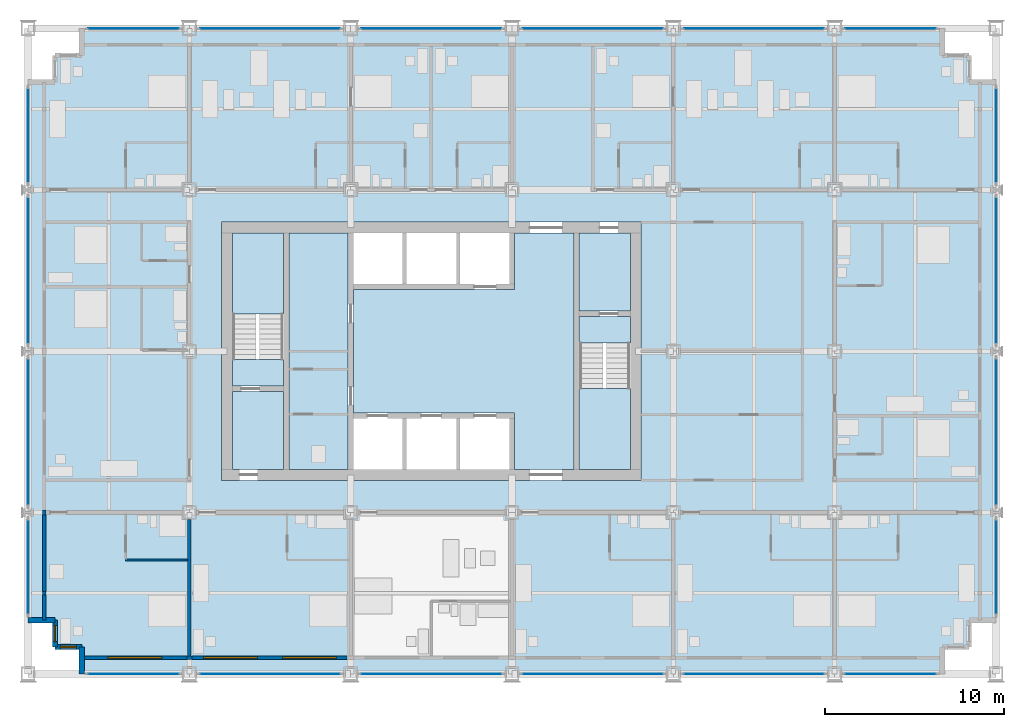
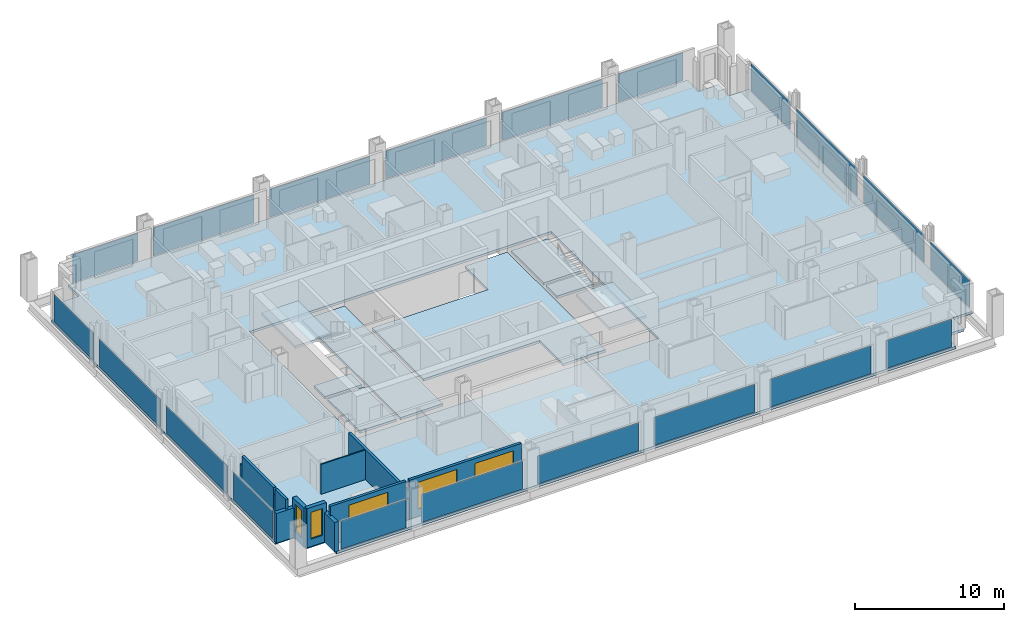
# One storey, part 9 of 18: 20 plates, 13 walls, 9 slabs, 5 windows, 5 openings, 22 elements without a shape of their own.
"""IFC4 building model written with IfcOpenShell, lengths in metres."""

from ifc_helpers import new_model, si_unit, direction, frame, frame_2d, origin, origin_2d, place, context, subcontext, project, spatial, polyline, rectangle, outline, extrude, material, layer, layer_set, type_object, element, fill, aggregate, save


model = new_model("IFC4")

# Units and contexts
model_context = context("Model", 3, precision=1e-05, world=origin(), true_north=direction((0.0, 1.0)))
body_context = subcontext(model_context, "Body", "Model", "MODEL_VIEW")
ifc_project = project(units=[si_unit("LENGTHUNIT", "METRE"), si_unit("AREAUNIT", "SQUARE_METRE"), si_unit("VOLUMEUNIT", "CUBIC_METRE"), si_unit("PLANEANGLEUNIT", "RADIAN"), si_unit("MASSUNIT", "GRAM", prefix="KILO")], contexts=[model_context])

# Site, building, storey
site_placement = place(None, origin())
site = spatial("IfcSite", under=ifc_project, at=site_placement, CompositionType="ELEMENT")
building_placement = place(site_placement, origin())
building = spatial("IfcBuilding", under=site, at=building_placement, Name="Loomwork Tower", CompositionType="ELEMENT")
storey_placement = place(building_placement, frame((0.0, 0.0, 45.0)))
storey = spatial("IfcBuildingStorey", under=building, at=storey_placement, Name="L10", CompositionType="ELEMENT", Elevation=45.0)

# Slabs
ifc_material_1 = material(Name="Concrete 5000 psi (34 MPa) on composite metal deck", Category="concrete")
ifc_layer_1 = layer(ifc_material_1, 0.199951171875)
ifc_layer_set_1 = layer_set([ifc_layer_1], Name="Floor slab 200")
slab_type_1 = type_object("IfcSlabType", Name="Floor slab 200", PredefinedType="FLOOR", material=ifc_layer_set_1)
slab_1_placement = place(storey_placement, frame((0.0, 0.0, -0.199951171875)))
element("IfcSlab", 1, at=slab_1_placement, inside=storey, type_object=slab_type_1, Name="Floor slab L10", PredefinedType="FLOOR", context=body_context, shape_type="SweptSolid", body=[
    extrude(outline(polyline([(3.0, 1.5), (1.5, 1.5), (1.5, 3.0), (0.0, 3.0), (0.0, 33.0), (1.5, 33.0), (1.5, 34.5), (3.0, 34.5), (3.0, 36.0), (51.0, 36.0), (51.0, 34.5), (52.5, 34.5), (52.5, 33.0), (54.0, 33.0), (54.0, 3.0), (52.5, 3.0), (52.5, 1.5), (51.0, 1.5), (51.0, 0.0), (3.0, 0.0), (3.0, 1.5)]), holes=[polyline([(10.800048828125, 11.39990234375), (10.800048828125, 11.39990234375), (10.800048828125, 10.800048828125), (34.199951171875, 10.800048828125), (34.199951171875, 11.39990234375), (34.199951171875, 11.39990234375), (34.199951171875, 24.60009765625), (34.199951171875, 25.199951171875), (10.800048828125, 25.199951171875), (10.800048828125, 24.60009765625), (10.800048828125, 11.39990234375)])]), origin(), (0.0, 0.0, 1.0), 0.199951171875),
])
slab_2_placement = place(storey_placement, frame((0.0, 0.0, -0.199951171875)))
element("IfcSlab", 2, at=slab_2_placement, inside=storey, type_object=slab_type_1, Name="Floor slab L10", PredefinedType="FLOOR", context=body_context, shape_type="SweptSolid", body=[
    extrude(outline(polyline([(30.449951171875, 24.60009765625), (30.449951171875, 11.39990234375), (27.14990234375, 11.39990234375), (27.14990234375, 14.25), (27.14990234375, 14.550048828125), (18.14990234375, 14.550048828125), (18.14990234375, 21.449951171875), (27.14990234375, 21.449951171875), (27.14990234375, 21.75), (27.14990234375, 24.60009765625), (30.449951171875, 24.60009765625)])), origin(), (0.0, 0.0, 1.0), 0.199951171875),
])
slab_3_placement = place(storey_placement, frame((0.0, 0.0, -0.199951171875)))
element("IfcSlab", 3, at=slab_3_placement, inside=storey, type_object=slab_type_1, Name="Floor slab L10", PredefinedType="FLOOR", context=body_context, shape_type="SweptSolid", body=[
    extrude(outline(polyline([(14.550048828125, 11.39990234375), (14.550048828125, 24.60009765625), (17.85009765625, 24.60009765625), (17.85009765625, 11.39990234375), (14.550048828125, 11.39990234375)])), origin(), (0.0, 0.0, 1.0), 0.199951171875),
])
slab_4_placement = place(storey_placement, frame((0.0, 0.0, -0.199951171875)))
element("IfcSlab", 4, at=slab_4_placement, inside=storey, type_object=slab_type_1, Name="Floor slab L10", PredefinedType="FLOOR", context=body_context, shape_type="SweptSolid", body=[
    extrude(outline(polyline([(33.60009765625, 20.25), (30.75, 20.25), (30.75, 24.60009765625), (33.60009765625, 24.60009765625), (33.60009765625, 20.25)])), origin(), (0.0, 0.0, 1.0), 0.199951171875),
])
slab_5_placement = place(storey_placement, frame((0.0, 0.0, -0.199951171875)))
element("IfcSlab", 5, at=slab_5_placement, inside=storey, type_object=slab_type_1, Name="Floor slab L10", PredefinedType="FLOOR", context=body_context, shape_type="SweptSolid", body=[
    extrude(outline(polyline([(14.25, 15.75), (14.25, 11.39990234375), (11.39990234375, 11.39990234375), (11.39990234375, 15.75), (14.25, 15.75)])), origin(), (0.0, 0.0, 1.0), 0.199951171875),
])

# Curtain wall, plate
ifc_material_2 = material(Name="Aluminium curtain wall frame", Category="aluminium")
curtain_wall_type = type_object("IfcCurtainWallType", Name="Outer skin glazing hotel", PredefinedType="NOTDEFINED", material=ifc_material_2)
curtain_wall_1_placement = place(storey_placement, origin())
curtain_wall_1 = element("IfcCurtainWall", 6, at=curtain_wall_1_placement, inside=storey, type_object=curtain_wall_type, Name="Outer skin glazing hotel cw/S-0", PredefinedType="NOTDEFINED")
ifc_material_3 = material(Name="Clear laminated glass", Category="glass")
ifc_layer_2 = layer(ifc_material_3, 0.02392578125)
ifc_layer_set_2 = layer_set([ifc_layer_2], Name="Outer skin glazing hotel panel")
plate_type = type_object("IfcPlateType", Name="Outer skin glazing hotel panel", PredefinedType="CURTAIN_PANEL", material=ifc_layer_set_2)
plate_1_placement = place(storey_placement, frame((5.875, 0.0, 0.06494140625), z_axis=(0.0, 0.0, 1.0), x_axis=(1.0, 0.0, 0.0)))
plate_1 = element("IfcPlate", 7, at=plate_1_placement, type_object=plate_type, Name="CW1 panel 1.1", PredefinedType="CURTAIN_PANEL", context=body_context, shape_type="SweptSolid", body=[
    extrude(rectangle(XDim=5.050048828125, YDim=0.02392578125, at=origin_2d()), origin(), (0.0, 0.0, 1.0), 2.290283203125),
])
aggregate(curtain_wall_1, [plate_1])

curtain_wall_2_placement = place(storey_placement, origin())
curtain_wall_2 = element("IfcCurtainWall", 8, at=curtain_wall_2_placement, inside=storey, type_object=curtain_wall_type, Name="Outer skin glazing hotel cw/S-9", PredefinedType="NOTDEFINED")
plate_2_placement = place(storey_placement, frame((13.5, 0.0, 0.06494140625), z_axis=(0.0, 0.0, 1.0), x_axis=(1.0, 0.0, 0.0)))
plate_2 = element("IfcPlate", 9, at=plate_2_placement, type_object=plate_type, Name="CW1 panel 1.1", PredefinedType="CURTAIN_PANEL", context=body_context, shape_type="SweptSolid", body=[
    extrude(rectangle(XDim=7.800048828125, YDim=0.02392578125, at=origin_2d()), origin(), (0.0, 0.0, 1.0), 2.290283203125),
])
aggregate(curtain_wall_2, [plate_2])

curtain_wall_3_placement = place(storey_placement, origin())
curtain_wall_3 = element("IfcCurtainWall", 10, at=curtain_wall_3_placement, inside=storey, type_object=curtain_wall_type, Name="Outer skin glazing hotel cw/S-18", PredefinedType="NOTDEFINED")
plate_3_placement = place(storey_placement, frame((22.5, 0.0, 0.06494140625), z_axis=(0.0, 0.0, 1.0), x_axis=(1.0, 0.0, 0.0)))
plate_3 = element("IfcPlate", 11, at=plate_3_placement, type_object=plate_type, Name="CW1 panel 1.1", PredefinedType="CURTAIN_PANEL", context=body_context, shape_type="SweptSolid", body=[
    extrude(rectangle(XDim=7.800048828125, YDim=0.02392578125, at=origin_2d()), origin(), (0.0, 0.0, 1.0), 2.290283203125),
])
aggregate(curtain_wall_3, [plate_3])

curtain_wall_4_placement = place(storey_placement, origin())
curtain_wall_4 = element("IfcCurtainWall", 12, at=curtain_wall_4_placement, inside=storey, type_object=curtain_wall_type, Name="Outer skin glazing hotel cw/S-27", PredefinedType="NOTDEFINED")
plate_4_placement = place(storey_placement, frame((31.5, 0.0, 0.06494140625), z_axis=(0.0, 0.0, 1.0), x_axis=(1.0, 0.0, 0.0)))
plate_4 = element("IfcPlate", 13, at=plate_4_placement, type_object=plate_type, Name="CW1 panel 1.1", PredefinedType="CURTAIN_PANEL", context=body_context, shape_type="SweptSolid", body=[
    extrude(rectangle(XDim=7.800048828125, YDim=0.02392578125, at=origin_2d()), origin(), (0.0, 0.0, 1.0), 2.290283203125),
])
aggregate(curtain_wall_4, [plate_4])

curtain_wall_5_placement = place(storey_placement, origin())
curtain_wall_5 = element("IfcCurtainWall", 14, at=curtain_wall_5_placement, inside=storey, type_object=curtain_wall_type, Name="Outer skin glazing hotel cw/S-36", PredefinedType="NOTDEFINED")
plate_5_placement = place(storey_placement, frame((40.5, 0.0, 0.06494140625), z_axis=(0.0, 0.0, 1.0), x_axis=(1.0, 0.0, 0.0)))
plate_5 = element("IfcPlate", 15, at=plate_5_placement, type_object=plate_type, Name="CW1 panel 1.1", PredefinedType="CURTAIN_PANEL", context=body_context, shape_type="SweptSolid", body=[
    extrude(rectangle(XDim=7.800048828125, YDim=0.02392578125, at=origin_2d()), origin(), (0.0, 0.0, 1.0), 2.290283203125),
])
aggregate(curtain_wall_5, [plate_5])

curtain_wall_6_placement = place(storey_placement, origin())
curtain_wall_6 = element("IfcCurtainWall", 16, at=curtain_wall_6_placement, inside=storey, type_object=curtain_wall_type, Name="Outer skin glazing hotel cw/S-45", PredefinedType="NOTDEFINED")
plate_6_placement = place(storey_placement, frame((48.125, 0.0, 0.06494140625), z_axis=(0.0, 0.0, 1.0), x_axis=(1.0, 0.0, 0.0)))
plate_6 = element("IfcPlate", 17, at=plate_6_placement, type_object=plate_type, Name="CW1 panel 1.1", PredefinedType="CURTAIN_PANEL", context=body_context, shape_type="SweptSolid", body=[
    extrude(rectangle(XDim=5.050048828125, YDim=0.02392578125, at=origin_2d()), origin(), (0.0, 0.0, 1.0), 2.290283203125),
])
aggregate(curtain_wall_6, [plate_6])

curtain_wall_7_placement = place(storey_placement, origin())
curtain_wall_7 = element("IfcCurtainWall", 18, at=curtain_wall_7_placement, inside=storey, type_object=curtain_wall_type, Name="Outer skin glazing hotel cw/N-0", PredefinedType="NOTDEFINED")
plate_7_placement = place(storey_placement, frame((5.875, 36.0, 0.06494140625), z_axis=(0.0, 0.0, 1.0), x_axis=(-1.0, 0.0, 0.0)))
plate_7 = element("IfcPlate", 19, at=plate_7_placement, type_object=plate_type, Name="CW1 panel 1.1", PredefinedType="CURTAIN_PANEL", context=body_context, shape_type="SweptSolid", body=[
    extrude(rectangle(XDim=5.050048828125, YDim=0.02392578125, at=origin_2d()), origin(), (0.0, 0.0, 1.0), 2.290283203125),
])
aggregate(curtain_wall_7, [plate_7])

curtain_wall_8_placement = place(storey_placement, origin())
curtain_wall_8 = element("IfcCurtainWall", 20, at=curtain_wall_8_placement, inside=storey, type_object=curtain_wall_type, Name="Outer skin glazing hotel cw/N-9", PredefinedType="NOTDEFINED")
plate_8_placement = place(storey_placement, frame((13.5, 36.0, 0.06494140625), z_axis=(0.0, 0.0, 1.0), x_axis=(-1.0, 0.0, 0.0)))
plate_8 = element("IfcPlate", 21, at=plate_8_placement, type_object=plate_type, Name="CW1 panel 1.1", PredefinedType="CURTAIN_PANEL", context=body_context, shape_type="SweptSolid", body=[
    extrude(rectangle(XDim=7.800048828125, YDim=0.02392578125, at=origin_2d()), origin(), (0.0, 0.0, 1.0), 2.290283203125),
])
aggregate(curtain_wall_8, [plate_8])

curtain_wall_9_placement = place(storey_placement, origin())
curtain_wall_9 = element("IfcCurtainWall", 22, at=curtain_wall_9_placement, inside=storey, type_object=curtain_wall_type, Name="Outer skin glazing hotel cw/N-18", PredefinedType="NOTDEFINED")
plate_9_placement = place(storey_placement, frame((22.5, 36.0, 0.06494140625), z_axis=(0.0, 0.0, 1.0), x_axis=(-1.0, 0.0, 0.0)))
plate_9 = element("IfcPlate", 23, at=plate_9_placement, type_object=plate_type, Name="CW1 panel 1.1", PredefinedType="CURTAIN_PANEL", context=body_context, shape_type="SweptSolid", body=[
    extrude(rectangle(XDim=7.800048828125, YDim=0.02392578125, at=origin_2d()), origin(), (0.0, 0.0, 1.0), 2.290283203125),
])
aggregate(curtain_wall_9, [plate_9])

curtain_wall_10_placement = place(storey_placement, origin())
curtain_wall_10 = element("IfcCurtainWall", 24, at=curtain_wall_10_placement, inside=storey, type_object=curtain_wall_type, Name="Outer skin glazing hotel cw/N-27", PredefinedType="NOTDEFINED")
plate_10_placement = place(storey_placement, frame((31.5, 36.0, 0.06494140625), z_axis=(0.0, 0.0, 1.0), x_axis=(-1.0, 0.0, 0.0)))
plate_10 = element("IfcPlate", 25, at=plate_10_placement, type_object=plate_type, Name="CW1 panel 1.1", PredefinedType="CURTAIN_PANEL", context=body_context, shape_type="SweptSolid", body=[
    extrude(rectangle(XDim=7.800048828125, YDim=0.02392578125, at=origin_2d()), origin(), (0.0, 0.0, 1.0), 2.290283203125),
])
aggregate(curtain_wall_10, [plate_10])

curtain_wall_11_placement = place(storey_placement, origin())
curtain_wall_11 = element("IfcCurtainWall", 26, at=curtain_wall_11_placement, inside=storey, type_object=curtain_wall_type, Name="Outer skin glazing hotel cw/N-36", PredefinedType="NOTDEFINED")
plate_11_placement = place(storey_placement, frame((40.5, 36.0, 0.06494140625), z_axis=(0.0, 0.0, 1.0), x_axis=(-1.0, 0.0, 0.0)))
plate_11 = element("IfcPlate", 27, at=plate_11_placement, type_object=plate_type, Name="CW1 panel 1.1", PredefinedType="CURTAIN_PANEL", context=body_context, shape_type="SweptSolid", body=[
    extrude(rectangle(XDim=7.800048828125, YDim=0.02392578125, at=origin_2d()), origin(), (0.0, 0.0, 1.0), 2.290283203125),
])
aggregate(curtain_wall_11, [plate_11])

curtain_wall_12_placement = place(storey_placement, origin())
curtain_wall_12 = element("IfcCurtainWall", 28, at=curtain_wall_12_placement, inside=storey, type_object=curtain_wall_type, Name="Outer skin glazing hotel cw/N-45", PredefinedType="NOTDEFINED")
plate_12_placement = place(storey_placement, frame((48.125, 36.0, 0.06494140625), z_axis=(0.0, 0.0, 1.0), x_axis=(-1.0, 0.0, 0.0)))
plate_12 = element("IfcPlate", 29, at=plate_12_placement, type_object=plate_type, Name="CW1 panel 1.1", PredefinedType="CURTAIN_PANEL", context=body_context, shape_type="SweptSolid", body=[
    extrude(rectangle(XDim=5.050048828125, YDim=0.02392578125, at=origin_2d()), origin(), (0.0, 0.0, 1.0), 2.290283203125),
])
aggregate(curtain_wall_12, [plate_12])

curtain_wall_13_placement = place(storey_placement, origin())
curtain_wall_13 = element("IfcCurtainWall", 30, at=curtain_wall_13_placement, inside=storey, type_object=curtain_wall_type, Name="Outer skin glazing hotel cw/W-0", PredefinedType="NOTDEFINED")
plate_13_placement = place(storey_placement, frame((0.0, 5.95556640625, 0.06494140625), z_axis=(0.0, 0.0, 1.0), x_axis=(0.0, -1.0, 0.0)))
plate_13 = element("IfcPlate", 31, at=plate_13_placement, type_object=plate_type, Name="CW1 panel 1.1", PredefinedType="CURTAIN_PANEL", context=body_context, shape_type="SweptSolid", body=[
    extrude(rectangle(XDim=5.211181640625, YDim=0.02392578125, at=origin_2d()), origin(), (0.0, 0.0, 1.0), 2.290283203125),
])
aggregate(curtain_wall_13, [plate_13])

curtain_wall_14_placement = place(storey_placement, origin())
curtain_wall_14 = element("IfcCurtainWall", 32, at=curtain_wall_14_placement, inside=storey, type_object=curtain_wall_type, Name="Outer skin glazing hotel cw/W-9", PredefinedType="NOTDEFINED")
plate_14_placement = place(storey_placement, frame((0.0, 13.5, 0.06494140625), z_axis=(0.0, 0.0, 1.0), x_axis=(0.0, -1.0, 0.0)))
plate_14 = element("IfcPlate", 33, at=plate_14_placement, type_object=plate_type, Name="CW1 panel 1.1", PredefinedType="CURTAIN_PANEL", context=body_context, shape_type="SweptSolid", body=[
    extrude(rectangle(XDim=8.122314453125, YDim=0.02392578125, at=origin_2d()), origin(), (0.0, 0.0, 1.0), 2.290283203125),
])
aggregate(curtain_wall_14, [plate_14])

curtain_wall_15_placement = place(storey_placement, origin())
curtain_wall_15 = element("IfcCurtainWall", 34, at=curtain_wall_15_placement, inside=storey, type_object=curtain_wall_type, Name="Outer skin glazing hotel cw/W-18", PredefinedType="NOTDEFINED")
plate_15_placement = place(storey_placement, frame((0.0, 22.5, 0.06494140625), z_axis=(0.0, 0.0, 1.0), x_axis=(0.0, -1.0, 0.0)))
plate_15 = element("IfcPlate", 35, at=plate_15_placement, type_object=plate_type, Name="CW1 panel 1.1", PredefinedType="CURTAIN_PANEL", context=body_context, shape_type="SweptSolid", body=[
    extrude(rectangle(XDim=8.122314453125, YDim=0.02392578125, at=origin_2d()), origin(), (0.0, 0.0, 1.0), 2.290283203125),
])
aggregate(curtain_wall_15, [plate_15])

curtain_wall_16_placement = place(storey_placement, origin())
curtain_wall_16 = element("IfcCurtainWall", 36, at=curtain_wall_16_placement, inside=storey, type_object=curtain_wall_type, Name="Outer skin glazing hotel cw/W-27", PredefinedType="NOTDEFINED")
plate_16_placement = place(storey_placement, frame((0.0, 30.04443359375, 0.06494140625), z_axis=(0.0, 0.0, 1.0), x_axis=(0.0, -1.0, 0.0)))
plate_16 = element("IfcPlate", 37, at=plate_16_placement, type_object=plate_type, Name="CW1 panel 1.1", PredefinedType="CURTAIN_PANEL", context=body_context, shape_type="SweptSolid", body=[
    extrude(rectangle(XDim=5.211181640625, YDim=0.02392578125, at=origin_2d()), origin(), (0.0, 0.0, 1.0), 2.290283203125),
])
aggregate(curtain_wall_16, [plate_16])

curtain_wall_17_placement = place(storey_placement, origin())
curtain_wall_17 = element("IfcCurtainWall", 38, at=curtain_wall_17_placement, inside=storey, type_object=curtain_wall_type, Name="Outer skin glazing hotel cw/E-0", PredefinedType="NOTDEFINED")
plate_17_placement = place(storey_placement, frame((54.0, 5.95556640625, 0.06494140625), z_axis=(0.0, 0.0, 1.0), x_axis=(0.0, 1.0, 0.0)))
plate_17 = element("IfcPlate", 39, at=plate_17_placement, type_object=plate_type, Name="CW1 panel 1.1", PredefinedType="CURTAIN_PANEL", context=body_context, shape_type="SweptSolid", body=[
    extrude(rectangle(XDim=5.211181640625, YDim=0.02392578125, at=origin_2d()), origin(), (0.0, 0.0, 1.0), 2.290283203125),
])
aggregate(curtain_wall_17, [plate_17])

curtain_wall_18_placement = place(storey_placement, origin())
curtain_wall_18 = element("IfcCurtainWall", 40, at=curtain_wall_18_placement, inside=storey, type_object=curtain_wall_type, Name="Outer skin glazing hotel cw/E-9", PredefinedType="NOTDEFINED")
plate_18_placement = place(storey_placement, frame((54.0, 13.5, 0.06494140625), z_axis=(0.0, 0.0, 1.0), x_axis=(0.0, 1.0, 0.0)))
plate_18 = element("IfcPlate", 41, at=plate_18_placement, type_object=plate_type, Name="CW1 panel 1.1", PredefinedType="CURTAIN_PANEL", context=body_context, shape_type="SweptSolid", body=[
    extrude(rectangle(XDim=8.122314453125, YDim=0.02392578125, at=origin_2d()), origin(), (0.0, 0.0, 1.0), 2.290283203125),
])
aggregate(curtain_wall_18, [plate_18])

curtain_wall_19_placement = place(storey_placement, origin())
curtain_wall_19 = element("IfcCurtainWall", 42, at=curtain_wall_19_placement, inside=storey, type_object=curtain_wall_type, Name="Outer skin glazing hotel cw/E-18", PredefinedType="NOTDEFINED")
plate_19_placement = place(storey_placement, frame((54.0, 22.5, 0.06494140625), z_axis=(0.0, 0.0, 1.0), x_axis=(0.0, 1.0, 0.0)))
plate_19 = element("IfcPlate", 43, at=plate_19_placement, type_object=plate_type, Name="CW1 panel 1.1", PredefinedType="CURTAIN_PANEL", context=body_context, shape_type="SweptSolid", body=[
    extrude(rectangle(XDim=8.122314453125, YDim=0.02392578125, at=origin_2d()), origin(), (0.0, 0.0, 1.0), 2.290283203125),
])
aggregate(curtain_wall_19, [plate_19])

curtain_wall_20_placement = place(storey_placement, origin())
curtain_wall_20 = element("IfcCurtainWall", 44, at=curtain_wall_20_placement, inside=storey, type_object=curtain_wall_type, Name="Outer skin glazing hotel cw/E-27", PredefinedType="NOTDEFINED")
plate_20_placement = place(storey_placement, frame((54.0, 30.04443359375, 0.06494140625), z_axis=(0.0, 0.0, 1.0), x_axis=(0.0, 1.0, 0.0)))
plate_20 = element("IfcPlate", 45, at=plate_20_placement, type_object=plate_type, Name="CW1 panel 1.1", PredefinedType="CURTAIN_PANEL", context=body_context, shape_type="SweptSolid", body=[
    extrude(rectangle(XDim=5.211181640625, YDim=0.02392578125, at=origin_2d()), origin(), (0.0, 0.0, 1.0), 2.290283203125),
])
aggregate(curtain_wall_20, [plate_20])

# Stair, slabs
ifc_material_4 = material(Name="Concrete 5000 psi (34 MPa) precast stair", Category="concrete")
stair_type_1 = type_object("IfcStairType", Name="Stair ST-A 20 risers 2850 wide", PredefinedType="HALF_TURN_STAIR", material=ifc_material_4)
stair_1_placement = place(storey_placement, origin())
stair_1 = element("IfcStair", 46, at=stair_1_placement, inside=storey, type_object=stair_type_1, Name="Stair A L10", PredefinedType="HALF_TURN_STAIR")
ifc_material_5 = material(Name="Concrete 5000 psi (34 MPa)", Category="concrete")
ifc_layer_3 = layer(ifc_material_5, 0.199951171875)
ifc_layer_set_3 = layer_set([ifc_layer_3], Name="Stair landing 200")
slab_type_2 = type_object("IfcSlabType", Name="Stair landing 200", PredefinedType="LANDING", material=ifc_layer_set_3)
slab_6_placement = place(storey_placement, frame((0.0, 0.0, -0.199951171875)))
slab_6 = element("IfcSlab", 47, at=slab_6_placement, type_object=slab_type_2, Name="ST-A landing 1", PredefinedType="LANDING", context=body_context, shape_type="SweptSolid", body=[
    extrude(outline(polyline([(11.39990234375, 16.050048828125), (14.25, 16.050048828125), (14.25, 17.550048828125), (11.39990234375, 17.550048828125), (11.39990234375, 16.050048828125)])), origin(), (0.0, 0.0, 1.0), 0.199951171875),
])
slab_7_placement = place(storey_placement, frame((0.0, 0.0, 1.5)))
slab_7 = element("IfcSlab", 48, at=slab_7_placement, type_object=slab_type_2, Name="ST-A landing 2", PredefinedType="LANDING", context=body_context, shape_type="SweptSolid", body=[
    extrude(outline(polyline([(11.39990234375, 20.070068359375), (14.25, 20.070068359375), (14.25, 24.60009765625), (11.39990234375, 24.60009765625), (11.39990234375, 20.070068359375)])), origin(), (0.0, 0.0, 1.0), 0.199951171875),
])
aggregate(stair_1, [slab_6, slab_7])

ifc_material_6 = material(Name="Concrete 5000 psi (34 MPa) precast stair", Category="concrete")
stair_type_2 = type_object("IfcStairType", Name="Stair ST-B 20 risers 2850 wide", PredefinedType="HALF_TURN_STAIR", material=ifc_material_6)
stair_2_placement = place(storey_placement, origin())
stair_2 = element("IfcStair", 49, at=stair_2_placement, inside=storey, type_object=stair_type_2, Name="Stair B L10", PredefinedType="HALF_TURN_STAIR")
slab_8_placement = place(storey_placement, frame((0.0, 0.0, -0.199951171875)))
slab_8 = element("IfcSlab", 50, at=slab_8_placement, type_object=slab_type_2, Name="ST-B landing 1", PredefinedType="LANDING", context=body_context, shape_type="SweptSolid", body=[
    extrude(outline(polyline([(30.75, 18.449951171875), (33.60009765625, 18.449951171875), (33.60009765625, 19.949951171875), (30.75, 19.949951171875), (30.75, 18.449951171875)])), origin(), (0.0, 0.0, 1.0), 0.199951171875),
])
slab_9_placement = place(storey_placement, frame((0.0, 0.0, 1.5)))
slab_9 = element("IfcSlab", 51, at=slab_9_placement, type_object=slab_type_2, Name="ST-B landing 2", PredefinedType="LANDING", context=body_context, shape_type="SweptSolid", body=[
    extrude(outline(polyline([(30.75, 11.39990234375), (33.60009765625, 11.39990234375), (33.60009765625, 15.929931640625), (30.75, 15.929931640625), (30.75, 11.39990234375)])), origin(), (0.0, 0.0, 1.0), 0.199951171875),
])
aggregate(stair_2, [slab_8, slab_9])

# Walls
ifc_material_7 = material(Name="Cement board on steel studs", Category="steel")
ifc_layer_4 = layer(ifc_material_7, 0.10009765625)
ifc_layer_set_4 = layer_set([ifc_layer_4], Name="En-suite partition 100")
wall_type_1 = type_object("IfcWallType", Name="En-suite partition 100", PredefinedType="PARTITIONING", material=ifc_layer_set_4)
wall_1_placement = place(storey_placement, frame((5.449951171875, 6.35009765625, 0.0), z_axis=(0.0, 0.0, 1.0), x_axis=(1.0, 0.0, 0.0)))
element("IfcWall", 52, at=wall_1_placement, inside=storey, type_object=wall_type_1, Name="En-suite wall L10 room 1", PredefinedType="PARTITIONING", context=body_context, shape_type="SweptSolid", body=[
    extrude(rectangle(XDim=3.449951171875, YDim=0.10009765625, at=frame_2d((1.72509765625, 0.0))), origin(), (0.0, 0.0, 1.0), 2.43798828125),
])
ifc_material_8 = material(Name="Gypsum board on steel studs, acoustic", Category="steel")
ifc_layer_5 = layer(ifc_material_8, 0.199951171875)
ifc_layer_set_5 = layer_set([ifc_layer_5], Name="Guest room party wall 200")
wall_type_2 = type_object("IfcWallType", Name="Guest room party wall 200", PredefinedType="PARTITIONING", material=ifc_layer_set_5)
wall_2_placement = place(storey_placement, frame((9.0, 8.60009765625, 0.0), z_axis=(0.0, 0.0, 1.0), x_axis=(0.0, -1.0, 0.0)))
element("IfcWall", 53, at=wall_2_placement, inside=storey, type_object=wall_type_2, Name="Guest room party wall S 9", PredefinedType="PARTITIONING", context=body_context, shape_type="SweptSolid", body=[
    extrude(rectangle(XDim=7.60009765625, YDim=0.199951171875, at=frame_2d((3.800048828125, 0.0))), origin(), (0.0, 0.0, 1.0), 2.43798828125),
])

# Wall, opening, window
ifc_material_9 = material(Name="Insulated steel stud wall with gypsum lining", Category="steel")
ifc_layer_6 = layer(ifc_material_9, 0.199951171875)
ifc_layer_set_6 = layer_set([ifc_layer_6], Name="Inner skin wall 200")
wall_type_3 = type_object("IfcWallType", Name="Inner skin wall 200", PredefinedType="SOLIDWALL", material=ifc_layer_set_6)
wall_3_placement = place(storey_placement, frame((3.0, 0.89990234375, 0.0), z_axis=(0.0, 0.0, 1.0), x_axis=(1.0, 0.0, 0.0)))
wall_3 = element("IfcWall", 54, at=wall_3_placement, inside=storey, type_object=wall_type_3, Name="Inner skin wall S", PredefinedType="SOLIDWALL", context=body_context, shape_type="SweptSolid", body=[
    extrude(rectangle(XDim=5.86474609375, YDim=0.199951171875, at=frame_2d((2.932373046875, 0.0))), origin(), (0.0, 0.0, 1.0), 3.199951171875),
])
opening_1_placement = place(wall_3_placement, frame((1.449951171875, 0.0, 0.60009765625)))
opening_1 = element("IfcOpeningElement", 55, at=opening_1_placement, cuts=wall_3, Name="Opening CH1", PredefinedType="OPENING", context=body_context, shape_type="SweptSolid", body=[
    extrude(rectangle(XDim=3.0, YDim=2.199951171875, at=frame_2d((1.5, 1.10009765625))), frame((0.0, 0.10986328125, 0.0), z_axis=(0.0, -1.0, 0.0), x_axis=(1.0, 0.0, 0.0)), (0.0, 0.0, 1.0), 0.219970703125),
])
ifc_material_10 = material(Name="Aluminium frame with clear insulated glass", Category="aluminium")
window_type_1 = type_object("IfcWindowType", Name="Chicago window 3000", PartitioningType="TRIPLE_PANEL_VERTICAL", PredefinedType="WINDOW", material=ifc_material_10)
window_1_placement = place(opening_1_placement, origin())
window_1 = element("IfcWindow", 56, at=window_1_placement, inside=storey, type_object=window_type_1, Name="Chicago window L10 bay 1", OverallHeight=2.199951171875, OverallWidth=3.0, PartitioningType="TRIPLE_PANEL_VERTICAL", PredefinedType="WINDOW", context=body_context, shape_type="SweptSolid", body=[
    extrude(rectangle(XDim=3.0, YDim=2.199951171875, at=frame_2d((1.5, 1.10009765625))), frame((0.0, 0.030029296875, 0.0), z_axis=(0.0, -1.0, 0.0), x_axis=(1.0, 0.0, 0.0)), (0.0, 0.0, 1.0), 0.06005859375),
])
fill(opening_1, window_1)

# Walls
wall_4_placement = place(storey_placement, frame((0.89990234375, 3.0, 0.0), z_axis=(0.0, 0.0, 1.0), x_axis=(0.0, 1.0, 0.0)))
element("IfcWall", 57, at=wall_4_placement, inside=storey, type_object=wall_type_3, Name="Inner skin wall W", PredefinedType="SOLIDWALL", context=body_context, shape_type="SweptSolid", body=[
    extrude(rectangle(XDim=1.392578125, YDim=0.199951171875, at=frame_2d((0.6962890625, 0.0))), origin(), (0.0, 0.0, 1.0), 3.199951171875),
])
wall_5_placement = place(storey_placement, frame((8.86474609375, 0.89990234375, 0.0), z_axis=(0.0, 0.0, 1.0), x_axis=(1.0, 0.0, 0.0)))
element("IfcWall", 58, at=wall_5_placement, inside=storey, type_object=wall_type_3, Name="Inner skin wall S bay 2", PredefinedType="SOLIDWALL", context=body_context, shape_type="SweptSolid", body=[
    extrude(rectangle(XDim=0.2705078125, YDim=0.199951171875, at=frame_2d((0.13525390625, 0.0))), origin(), (0.0, 0.0, 1.0), 2.43798828125),
])

# Wall, openings, windows
wall_6_placement = place(storey_placement, frame((9.13525390625, 0.89990234375, 0.0), z_axis=(0.0, 0.0, 1.0), x_axis=(1.0, 0.0, 0.0)))
wall_6 = element("IfcWall", 59, at=wall_6_placement, inside=storey, type_object=wall_type_3, Name="Inner skin wall S bay 3", PredefinedType="SOLIDWALL", context=body_context, shape_type="SweptSolid", body=[
    extrude(rectangle(XDim=8.6708984375, YDim=0.199951171875, at=frame_2d((4.33544921875, 0.0))), origin(), (0.0, 0.0, 1.0), 3.199951171875),
])
opening_2_placement = place(wall_6_placement, frame((0.664794921875, 0.0, 0.60009765625)))
opening_2 = element("IfcOpeningElement", 60, at=opening_2_placement, cuts=wall_6, Name="Opening CH1", PredefinedType="OPENING", context=body_context, shape_type="SweptSolid", body=[
    extrude(rectangle(XDim=3.0, YDim=2.199951171875, at=frame_2d((1.5, 1.10009765625))), frame((0.0, 0.10986328125, 0.0), z_axis=(0.0, -1.0, 0.0), x_axis=(1.0, 0.0, 0.0)), (0.0, 0.0, 1.0), 0.219970703125),
])
opening_3_placement = place(wall_6_placement, frame((5.064697265625, 0.0, 0.60009765625)))
opening_3 = element("IfcOpeningElement", 61, at=opening_3_placement, cuts=wall_6, Name="Opening CH1", PredefinedType="OPENING", context=body_context, shape_type="SweptSolid", body=[
    extrude(rectangle(XDim=3.0, YDim=2.199951171875, at=frame_2d((1.5, 1.10009765625))), frame((0.0, 0.10986328125, 0.0), z_axis=(0.0, -1.0, 0.0), x_axis=(1.0, 0.0, 0.0)), (0.0, 0.0, 1.0), 0.219970703125),
])
window_2_placement = place(opening_2_placement, origin())
window_2 = element("IfcWindow", 62, at=window_2_placement, inside=storey, type_object=window_type_1, Name="Chicago window L10 bay 2", OverallHeight=2.199951171875, OverallWidth=3.0, PartitioningType="TRIPLE_PANEL_VERTICAL", PredefinedType="WINDOW", context=body_context, shape_type="SweptSolid", body=[
    extrude(rectangle(XDim=3.0, YDim=2.199951171875, at=frame_2d((1.5, 1.10009765625))), frame((0.0, 0.030029296875, 0.0), z_axis=(0.0, -1.0, 0.0), x_axis=(1.0, 0.0, 0.0)), (0.0, 0.0, 1.0), 0.06005859375),
])
fill(opening_2, window_2)
window_3_placement = place(opening_3_placement, origin())
window_3 = element("IfcWindow", 63, at=window_3_placement, inside=storey, type_object=window_type_1, Name="Chicago window L10 bay 2", OverallHeight=2.199951171875, OverallWidth=3.0, PartitioningType="TRIPLE_PANEL_VERTICAL", PredefinedType="WINDOW", context=body_context, shape_type="SweptSolid", body=[
    extrude(rectangle(XDim=3.0, YDim=2.199951171875, at=frame_2d((1.5, 1.10009765625))), frame((0.0, 0.030029296875, 0.0), z_axis=(0.0, -1.0, 0.0), x_axis=(1.0, 0.0, 0.0)), (0.0, 0.0, 1.0), 0.06005859375),
])
fill(opening_3, window_3)

# Walls
wall_7_placement = place(storey_placement, frame((0.89990234375, 4.392578125, 0.0), z_axis=(0.0, 0.0, 1.0), x_axis=(0.0, 1.0, 0.0)))
element("IfcWall", 64, at=wall_7_placement, inside=storey, type_object=wall_type_3, Name="Inner skin wall W bay 2", PredefinedType="SOLIDWALL", context=body_context, shape_type="SweptSolid", body=[
    extrude(rectangle(XDim=0.21484375, YDim=0.199951171875, at=frame_2d((0.107421875, 0.0))), origin(), (0.0, 0.0, 1.0), 2.660888671875),
])
wall_8_placement = place(storey_placement, frame((0.89990234375, 4.607421875, 0.0), z_axis=(0.0, 0.0, 1.0), x_axis=(0.0, 1.0, 0.0)))
element("IfcWall", 65, at=wall_8_placement, inside=storey, type_object=wall_type_3, Name="Inner skin wall W bay 3", PredefinedType="SOLIDWALL", context=body_context, shape_type="SweptSolid", body=[
    extrude(rectangle(XDim=4.25732421875, YDim=0.199951171875, at=frame_2d((2.128662109375, 0.0))), origin(), (0.0, 0.0, 1.0), 3.199951171875),
])
wall_9_placement = place(storey_placement, frame((0.89990234375, 8.86474609375, 0.0), z_axis=(0.0, 0.0, 1.0), x_axis=(0.0, 1.0, 0.0)))
element("IfcWall", 66, at=wall_9_placement, inside=storey, type_object=wall_type_3, Name="Inner skin wall W bay 4", PredefinedType="SOLIDWALL", context=body_context, shape_type="SweptSolid", body=[
    extrude(rectangle(XDim=0.2705078125, YDim=0.199951171875, at=frame_2d((0.13525390625, 0.0))), origin(), (0.0, 0.0, 1.0), 2.43798828125),
])
ifc_material_11 = material(Name="Limestone on concrete masonry", Category="masonry")
ifc_layer_7 = layer(ifc_material_11, 0.300048828125)
ifc_layer_set_7 = layer_set([ifc_layer_7], Name="Limestone corner wall 300")
wall_type_4 = type_object("IfcWallType", Name="Limestone corner wall 300", PredefinedType="SOLIDWALL", material=ifc_layer_set_7)
wall_10_placement = place(storey_placement, frame((0.0, 3.0, 0.0), z_axis=(0.0, 0.0, 1.0), x_axis=(1.0, 0.0, 0.0)))
element("IfcWall", 67, at=wall_10_placement, inside=storey, type_object=wall_type_4, Name="Stone corner wall SW 1", PredefinedType="SOLIDWALL", context=body_context, shape_type="SweptSolid", body=[
    extrude(rectangle(XDim=1.5, YDim=0.300048828125, at=frame_2d((0.75, 0.0))), origin(), (0.0, 0.0, 1.0), 2.419921875),
])

# Wall, opening, window
wall_11_placement = place(storey_placement, frame((1.5, 3.0, 0.0), z_axis=(0.0, 0.0, 1.0), x_axis=(0.0, -1.0, 0.0)))
wall_11 = element("IfcWall", 68, at=wall_11_placement, inside=storey, type_object=wall_type_4, Name="Stone corner wall SW 2", PredefinedType="SOLIDWALL", context=body_context, shape_type="SweptSolid", body=[
    extrude(rectangle(XDim=1.5, YDim=0.300048828125, at=frame_2d((0.75, 0.0))), origin(), (0.0, 0.0, 1.0), 3.199951171875),
])
opening_4_placement = place(wall_11_placement, frame((0.300048828125, 0.0, 0.60009765625)))
opening_4 = element("IfcOpeningElement", 69, at=opening_4_placement, cuts=wall_11, Name="Opening CH2", PredefinedType="OPENING", context=body_context, shape_type="SweptSolid", body=[
    extrude(rectangle(XDim=0.89990234375, YDim=2.199951171875, at=frame_2d((0.449951171875, 1.10009765625))), frame((0.0, 0.159912109375, 0.0), z_axis=(0.0, -1.0, 0.0), x_axis=(1.0, 0.0, 0.0)), (0.0, 0.0, 1.0), 0.320068359375),
])
ifc_material_12 = material(Name="Aluminium frame with clear insulated glass", Category="aluminium")
window_type_2 = type_object("IfcWindowType", Name="Corner window 900", PartitioningType="SINGLE_PANEL", PredefinedType="WINDOW", material=ifc_material_12)
window_4_placement = place(opening_4_placement, origin())
window_4 = element("IfcWindow", 70, at=window_4_placement, inside=storey, type_object=window_type_2, Name="Corner window SW", OverallHeight=2.199951171875, OverallWidth=0.89990234375, PartitioningType="SINGLE_PANEL", PredefinedType="WINDOW", context=body_context, shape_type="SweptSolid", body=[
    extrude(rectangle(XDim=0.89990234375, YDim=2.199951171875, at=frame_2d((0.449951171875, 1.10009765625))), frame((0.0, 0.030029296875, 0.0), z_axis=(0.0, -1.0, 0.0), x_axis=(1.0, 0.0, 0.0)), (0.0, 0.0, 1.0), 0.06005859375),
])
fill(opening_4, window_4)

wall_12_placement = place(storey_placement, frame((1.5, 1.5, 0.0), z_axis=(0.0, 0.0, 1.0), x_axis=(1.0, 0.0, 0.0)))
wall_12 = element("IfcWall", 71, at=wall_12_placement, inside=storey, type_object=wall_type_4, Name="Stone corner wall SW 3", PredefinedType="SOLIDWALL", context=body_context, shape_type="SweptSolid", body=[
    extrude(rectangle(XDim=1.5, YDim=0.300048828125, at=frame_2d((0.75, 0.0))), origin(), (0.0, 0.0, 1.0), 3.199951171875),
])
opening_5_placement = place(wall_12_placement, frame((0.300048828125, 0.0, 0.60009765625)))
opening_5 = element("IfcOpeningElement", 72, at=opening_5_placement, cuts=wall_12, Name="Opening CH2", PredefinedType="OPENING", context=body_context, shape_type="SweptSolid", body=[
    extrude(rectangle(XDim=0.89990234375, YDim=2.199951171875, at=frame_2d((0.449951171875, 1.10009765625))), frame((0.0, 0.159912109375, 0.0), z_axis=(0.0, -1.0, 0.0), x_axis=(1.0, 0.0, 0.0)), (0.0, 0.0, 1.0), 0.320068359375),
])
window_5_placement = place(opening_5_placement, origin())
window_5 = element("IfcWindow", 73, at=window_5_placement, inside=storey, type_object=window_type_2, Name="Corner window SW", OverallHeight=2.199951171875, OverallWidth=0.89990234375, PartitioningType="SINGLE_PANEL", PredefinedType="WINDOW", context=body_context, shape_type="SweptSolid", body=[
    extrude(rectangle(XDim=0.89990234375, YDim=2.199951171875, at=frame_2d((0.449951171875, 1.10009765625))), frame((0.0, 0.030029296875, 0.0), z_axis=(0.0, -1.0, 0.0), x_axis=(1.0, 0.0, 0.0)), (0.0, 0.0, 1.0), 0.06005859375),
])
fill(opening_5, window_5)

# Wall
wall_13_placement = place(storey_placement, frame((3.0, 1.5, 0.0), z_axis=(0.0, 0.0, 1.0), x_axis=(0.0, -1.0, 0.0)))
element("IfcWall", 74, at=wall_13_placement, inside=storey, type_object=wall_type_4, Name="Stone corner wall SW 4", PredefinedType="SOLIDWALL", context=body_context, shape_type="SweptSolid", body=[
    extrude(rectangle(XDim=1.5, YDim=0.300048828125, at=frame_2d((0.75, 0.0))), origin(), (0.0, 0.0, 1.0), 2.419921875),
])

save(model, "model.ifc")
